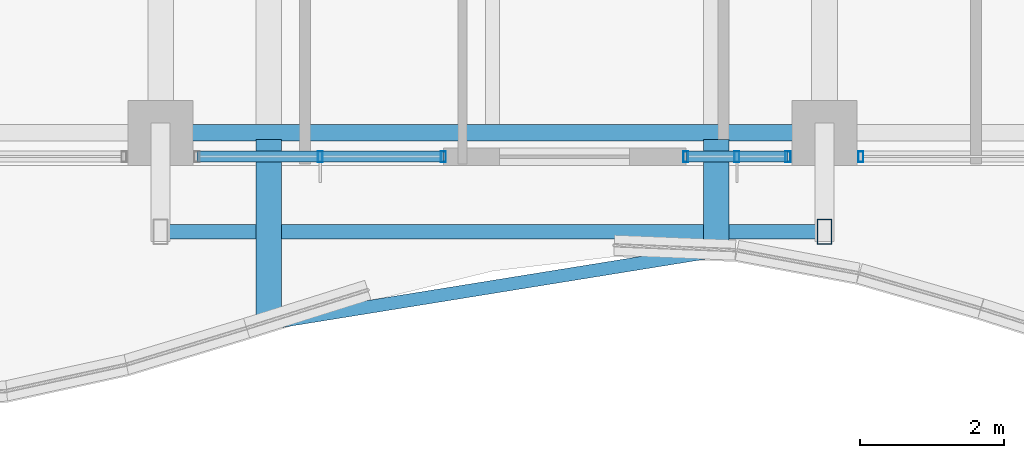
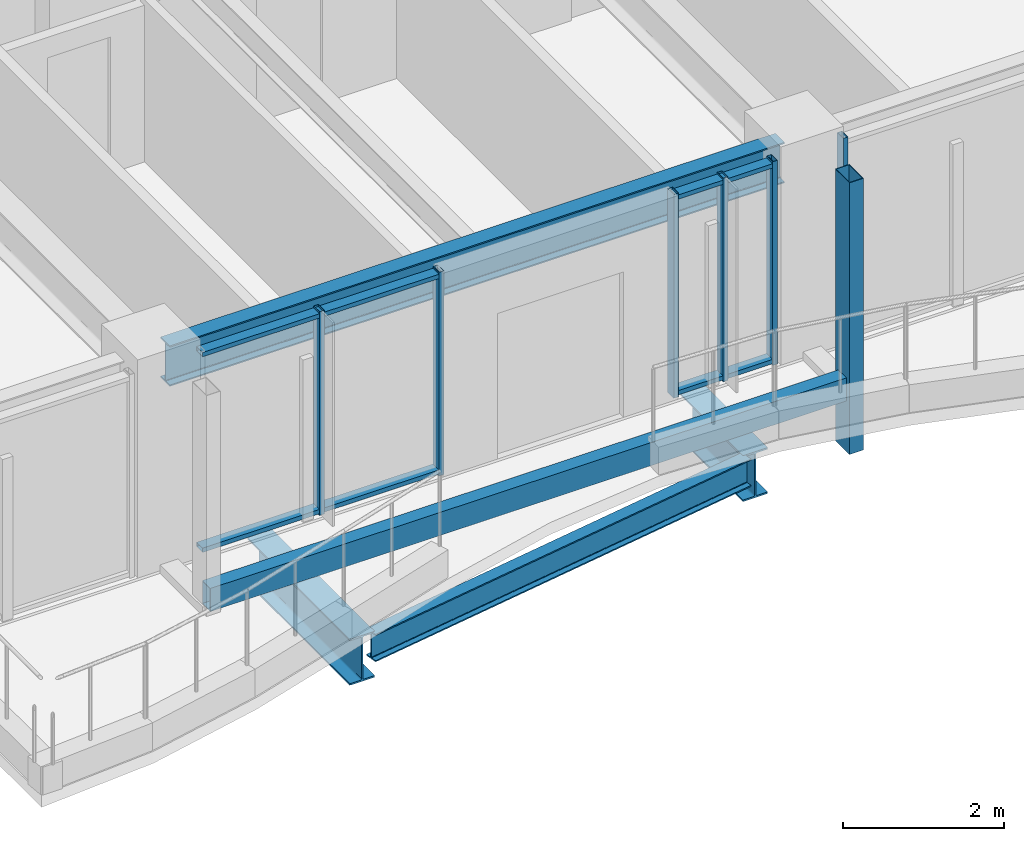
# One storey, part 5 of 37: 12 members, 4 beams, 3 elements without a shape of their own.
"""IFC4 building model written with IfcOpenShell, lengths in metres."""

from ifc_helpers import new_model, si_unit, direction, frame, origin, origin_2d, place, context, subcontext, project, spatial, hollow_rectangle, i_section, extrude, material, material_profile, profile_set, type_object, element, aggregate, save


model = new_model("IFC4")

# Units and contexts
model_context = context("Model", 3, precision=1e-05, world=origin(), true_north=direction((0.0, 1.0)))
body_context = subcontext(model_context, "Body", "Model", "MODEL_VIEW")
ifc_project = project(units=[si_unit("LENGTHUNIT", "METRE"), si_unit("AREAUNIT", "SQUARE_METRE"), si_unit("VOLUMEUNIT", "CUBIC_METRE"), si_unit("PLANEANGLEUNIT", "RADIAN"), si_unit("MASSUNIT", "GRAM", prefix="KILO")], contexts=[model_context])

# Site, building, storey
site_placement = place(None, origin())
site = spatial("IfcSite", under=ifc_project, at=site_placement, CompositionType="ELEMENT")
building_placement = place(site_placement, origin())
building = spatial("IfcBuilding", under=site, at=building_placement, Name="Kolvaren Belvedere", CompositionType="ELEMENT")
storey_placement = place(building_placement, frame((0.0, 0.0, 173.39990234375)))
storey = spatial("IfcBuildingStorey", under=building, at=storey_placement, Name="L50", CompositionType="ELEMENT", Elevation=173.39990234375)

# Beams
ifc_material_1 = material(Name="Structural steel ASTM A992 Grade 50", Category="steel")
ifc_material_profile_1 = material_profile(ifc_material_1, i_section(OverallWidth=0.35498046875, OverallDepth=0.696044921875, WebThickness=0.015380859375, FlangeThickness=0.02490234375, FilletRadius=0.02197265625, at=origin_2d()), Name="W27X146")
ifc_profile_set_1 = profile_set([ifc_material_profile_1], Name="Structural steel ASTM A992 Grade 50")
beam_type_1 = type_object("IfcBeamType", Name="BM-CANT-BAL", PredefinedType="BEAM", material=ifc_profile_set_1)
beam_1_placement = place(storey_placement, frame((-3.10009765625, -20.044921875, -0.56787109375), z_axis=(0.0, -1.0, 0.0), x_axis=(1.0, 0.0, 0.0)))
element("IfcBeam", 1, at=beam_1_placement, inside=storey, type_object=beam_type_1, Name="L50 Planted Balcony Cantilever BAL-S-1", PredefinedType="BEAM", context=body_context, shape_type="SweptSolid", body=[
    extrude(i_section(OverallWidth=0.35498046875, OverallDepth=0.696044921875, WebThickness=0.015380859375, FlangeThickness=0.02490234375, FilletRadius=0.02197265625, at=origin_2d()), origin(), (0.0, 0.0, 1.0), 2.541259765625),
])
beam_2_placement = place(storey_placement, frame((3.10009765625, -20.044921875, -0.56787109375), z_axis=(0.0, -1.0, 0.0), x_axis=(1.0, 0.0, 0.0)))
element("IfcBeam", 2, at=beam_2_placement, inside=storey, type_object=beam_type_1, Name="L50 Planted Balcony Cantilever BAL-S-2", PredefinedType="BEAM", context=body_context, shape_type="SweptSolid", body=[
    extrude(i_section(OverallWidth=0.35498046875, OverallDepth=0.696044921875, WebThickness=0.015380859375, FlangeThickness=0.02490234375, FilletRadius=0.02197265625, at=origin_2d()), origin(), (0.0, 0.0, 1.0), 1.54052734375),
])
ifc_material_2 = material(Name="Structural steel ASTM A992 Grade 50", Category="steel")
ifc_material_profile_2 = material_profile(ifc_material_2, i_section(OverallWidth=0.180908203125, OverallDepth=0.4169921875, WebThickness=0.010986328125, FlangeThickness=0.018310546875, FilletRadius=0.013916015625, at=origin_2d()), Name="W16X57")
ifc_profile_set_2 = profile_set([ifc_material_profile_2], Name="Structural steel ASTM A992 Grade 50")
beam_type_2 = type_object("IfcBeamType", Name="BM-EDGE-W16X57", PredefinedType="BEAM", material=ifc_profile_set_2)
beam_3_placement = place(storey_placement, frame((-2.9619140625, -22.56396484375, -0.428466796875), z_axis=(0.987219034838, 0.159369310891, 0.0), x_axis=(-0.159369310891, 0.987219034838, 0.0)))
element("IfcBeam", 3, at=beam_3_placement, inside=storey, type_object=beam_type_2, Name="L50 Balcony Tip Header Beam BAL-S", PredefinedType="BEAM", context=body_context, shape_type="SweptSolid", body=[
    extrude(i_section(OverallWidth=0.180908203125, OverallDepth=0.4169921875, WebThickness=0.010986328125, FlangeThickness=0.018310546875, FilletRadius=0.013916015625, at=origin_2d()), origin(), (0.0, 0.0, 1.0), 6.00048828125),
])
ifc_material_3 = material(Name="Structural steel ASTM A992 Grade 50", Category="steel")
ifc_material_profile_3 = material_profile(ifc_material_3, i_section(OverallWidth=0.22900390625, OverallDepth=0.612060546875, WebThickness=0.011962890625, FlangeThickness=0.01953125, FilletRadius=0.01806640625, at=origin_2d()), Name="W24X84")
ifc_profile_set_3 = profile_set([ifc_material_profile_3], Name="Structural steel ASTM A992 Grade 50")
beam_type_3 = type_object("IfcBeamType", Name="BM-SPAN-W24X84", PredefinedType="SPANDREL", material=ifc_profile_set_3)
beam_4_placement = place(storey_placement, frame((-4.3974609375, -19.949951171875, 2.774169921875), z_axis=(1.0, 0.0, 0.0), x_axis=(0.0, 1.0, 0.0)))
element("IfcBeam", 4, at=beam_4_placement, inside=storey, type_object=beam_type_3, Name="L50 Perimeter Spandrel S2-S3", PredefinedType="SPANDREL", context=body_context, shape_type="SweptSolid", body=[
    extrude(i_section(OverallWidth=0.22900390625, OverallDepth=0.612060546875, WebThickness=0.011962890625, FlangeThickness=0.01953125, FilletRadius=0.01806640625, at=origin_2d()), origin(), (0.0, 0.0, 1.0), 8.794921875),
])

# Curtain wall, member
ifc_material_4 = material(Name="Anodised pale-metal aluminium AA 6063-T6", Category="aluminium")
curtain_wall_type = type_object("IfcCurtainWallType", Name="CW-Z5-HIGH", PredefinedType="NOTDEFINED", material=ifc_material_4)
curtain_wall_1_placement = place(storey_placement, origin())
curtain_wall_1 = element("IfcCurtainWall", 5, at=curtain_wall_1_placement, inside=storey, type_object=curtain_wall_type, Name="L50 Unitised Curtain Wall FCW-L50-S1-B1", PredefinedType="NOTDEFINED")
ifc_material_5 = material(Name="Anodised pale-metal aluminium AA 6063-T6", Category="aluminium")
ifc_material_profile_4 = material_profile(ifc_material_5, hollow_rectangle(XDim=0.070068359375, YDim=0.14990234375, WallThickness=0.004150390625, at=origin_2d()), Name="ALU-MUL-150X70")
ifc_profile_set_4 = profile_set([ifc_material_profile_4], Name="Anodised pale-metal aluminium AA 6063-T6")
member_type_1 = type_object("IfcMemberType", Name="CW-MUL-150", PredefinedType="MULLION", material=ifc_profile_set_4)
member_1_placement = place(storey_placement, frame((5.10498046875, -20.280029296875, 0.0), z_axis=(0.0, 0.0, 1.0), x_axis=(1.0, 0.0, 0.0)))
member_1 = element("IfcMember", 6, at=member_1_placement, type_object=member_type_1, Name="FCW-L50-S1-B1 Unitised Mullion 3", PredefinedType="MULLION", context=body_context, shape_type="SweptSolid", body=[
    extrude(hollow_rectangle(XDim=0.070068359375, YDim=0.14990234375, WallThickness=0.004150390625, at=origin_2d()), origin(), (0.0, 0.0, 1.0), 3.080078125),
])
aggregate(curtain_wall_1, [member_1])

# Curtain wall, members
curtain_wall_2_placement = place(storey_placement, origin())
curtain_wall_2 = element("IfcCurtainWall", 7, at=curtain_wall_2_placement, inside=storey, type_object=curtain_wall_type, Name="L50 Unitised Curtain Wall FCW-L50-S1-B2", PredefinedType="NOTDEFINED")
member_2_placement = place(storey_placement, frame((4.094970703125, -20.280029296875, 0.0), z_axis=(0.0, 0.0, 1.0), x_axis=(1.0, 0.0, 0.0)))
member_2 = element("IfcMember", 8, at=member_2_placement, type_object=member_type_1, Name="FCW-L50-S1-B2 Unitised Mullion 1", PredefinedType="MULLION", context=body_context, shape_type="SweptSolid", body=[
    extrude(hollow_rectangle(XDim=0.070068359375, YDim=0.14990234375, WallThickness=0.004150390625, at=origin_2d()), origin(), (0.0, 0.0, 1.0), 3.080078125),
])
member_3_placement = place(storey_placement, frame((3.387451171875, -20.280029296875, 0.0), z_axis=(0.0, 0.0, 1.0), x_axis=(1.0, 0.0, 0.0)))
member_3 = element("IfcMember", 9, at=member_3_placement, type_object=member_type_1, Name="FCW-L50-S1-B2 Unitised Mullion 2", PredefinedType="MULLION", context=body_context, shape_type="SweptSolid", body=[
    extrude(hollow_rectangle(XDim=0.070068359375, YDim=0.14990234375, WallThickness=0.004150390625, at=origin_2d()), origin(), (0.0, 0.0, 1.0), 3.080078125),
])
member_4_placement = place(storey_placement, frame((2.679931640625, -20.280029296875, 0.0), z_axis=(0.0, 0.0, 1.0), x_axis=(1.0, 0.0, 0.0)))
member_4 = element("IfcMember", 10, at=member_4_placement, type_object=member_type_1, Name="FCW-L50-S1-B2 Unitised Mullion 3", PredefinedType="MULLION", context=body_context, shape_type="SweptSolid", body=[
    extrude(hollow_rectangle(XDim=0.070068359375, YDim=0.14990234375, WallThickness=0.004150390625, at=origin_2d()), origin(), (0.0, 0.0, 1.0), 3.080078125),
])

curtain_wall_3_placement = place(storey_placement, origin())
curtain_wall_3 = element("IfcCurtainWall", 11, at=curtain_wall_3_placement, inside=storey, type_object=curtain_wall_type, Name="L50 Unitised Curtain Wall FCW-L50-S2-B1", PredefinedType="NOTDEFINED")
member_5_placement = place(storey_placement, frame((-0.679931640625, -20.280029296875, 0.0), z_axis=(0.0, 0.0, 1.0), x_axis=(1.0, 0.0, 0.0)))
member_5 = element("IfcMember", 12, at=member_5_placement, type_object=member_type_1, Name="FCW-L50-S2-B1 Unitised Mullion 1", PredefinedType="MULLION", context=body_context, shape_type="SweptSolid", body=[
    extrude(hollow_rectangle(XDim=0.070068359375, YDim=0.14990234375, WallThickness=0.004150390625, at=origin_2d()), origin(), (0.0, 0.0, 1.0), 3.080078125),
])
member_6_placement = place(storey_placement, frame((-2.387451171875, -20.280029296875, 0.0), z_axis=(0.0, 0.0, 1.0), x_axis=(1.0, 0.0, 0.0)))
member_6 = element("IfcMember", 13, at=member_6_placement, type_object=member_type_1, Name="FCW-L50-S2-B1 Unitised Mullion 2", PredefinedType="MULLION", context=body_context, shape_type="SweptSolid", body=[
    extrude(hollow_rectangle(XDim=0.070068359375, YDim=0.14990234375, WallThickness=0.004150390625, at=origin_2d()), origin(), (0.0, 0.0, 1.0), 3.080078125),
])

# Member
ifc_material_6 = material(Name="Anodised pale-metal aluminium AA 6063-T6", Category="aluminium")
ifc_material_profile_5 = material_profile(ifc_material_6, hollow_rectangle(XDim=0.06494140625, YDim=0.14990234375, WallThickness=0.00390625, at=origin_2d()), Name="ALU-TRN-150X65")
ifc_profile_set_5 = profile_set([ifc_material_profile_5], Name="Anodised pale-metal aluminium AA 6063-T6")
member_type_2 = type_object("IfcMemberType", Name="CW-TRN-150", PredefinedType="USERDEFINED", material=ifc_profile_set_5)
member_7_placement = place(storey_placement, frame((4.094970703125, -20.280029296875, 0.06005859375), z_axis=(-1.0, 0.0, 0.0), x_axis=(0.0, 0.0, 1.0)))
member_7 = element("IfcMember", 14, at=member_7_placement, type_object=member_type_2, Name="FCW-L50-S1-B2 Sill Transom", ObjectType="TRANSOM", PredefinedType="USERDEFINED", context=body_context, shape_type="SweptSolid", body=[
    extrude(hollow_rectangle(XDim=0.06494140625, YDim=0.14990234375, WallThickness=0.00390625, at=origin_2d()), origin(), (0.0, 0.0, 1.0), 1.4150390625),
])

member_8_placement = place(storey_placement, frame((4.094970703125, -20.280029296875, 3.02001953125), z_axis=(-1.0, 0.0, 0.0), x_axis=(0.0, 0.0, 1.0)))
member_8 = element("IfcMember", 15, at=member_8_placement, type_object=member_type_2, Name="FCW-L50-S1-B2 Head Transom", ObjectType="TRANSOM", PredefinedType="USERDEFINED", context=body_context, shape_type="SweptSolid", body=[
    extrude(hollow_rectangle(XDim=0.06494140625, YDim=0.14990234375, WallThickness=0.00390625, at=origin_2d()), origin(), (0.0, 0.0, 1.0), 1.4150390625),
])

aggregate(curtain_wall_2, [member_2, member_3, member_4, member_7, member_8])

member_9_placement = place(storey_placement, frame((-0.679931640625, -20.280029296875, 0.06005859375), z_axis=(-1.0, 0.0, 0.0), x_axis=(0.0, 0.0, 1.0)))
member_9 = element("IfcMember", 16, at=member_9_placement, type_object=member_type_2, Name="FCW-L50-S2-B1 Sill Transom", ObjectType="TRANSOM", PredefinedType="USERDEFINED", context=body_context, shape_type="SweptSolid", body=[
    extrude(hollow_rectangle(XDim=0.06494140625, YDim=0.14990234375, WallThickness=0.00390625, at=origin_2d()), origin(), (0.0, 0.0, 1.0), 3.4150390625),
])

member_10_placement = place(storey_placement, frame((-0.679931640625, -20.280029296875, 3.02001953125), z_axis=(-1.0, 0.0, 0.0), x_axis=(0.0, 0.0, 1.0)))
member_10 = element("IfcMember", 17, at=member_10_placement, type_object=member_type_2, Name="FCW-L50-S2-B1 Head Transom", ObjectType="TRANSOM", PredefinedType="USERDEFINED", context=body_context, shape_type="SweptSolid", body=[
    extrude(hollow_rectangle(XDim=0.06494140625, YDim=0.14990234375, WallThickness=0.00390625, at=origin_2d()), origin(), (0.0, 0.0, 1.0), 3.4150390625),
])

aggregate(curtain_wall_3, [member_5, member_6, member_9, member_10])

# Members
ifc_material_7 = material(Name="Anodised pale-metal aluminium AA 6063-T6", Category="aluminium")
ifc_material_profile_6 = material_profile(ifc_material_7, hollow_rectangle(XDim=0.199951171875, YDim=0.35009765625, WallThickness=0.007568359375, at=origin_2d()), Name="ALU-PF-350X200")
ifc_profile_set_6 = profile_set([ifc_material_profile_6], Name="Anodised pale-metal aluminium AA 6063-T6")
member_type_3 = type_object("IfcMemberType", Name="PF-FRAME-350", PredefinedType="USERDEFINED", material=ifc_profile_set_6)
member_11_placement = place(storey_placement, frame((4.60009765625, -21.320068359375, -0.809814453125), z_axis=(0.0, 0.0, 1.0), x_axis=(1.0, 0.0, 0.0)))
element("IfcMember", 18, at=member_11_placement, inside=storey, type_object=member_type_3, Name="L50 Outboard Picture-Frame Vertical S1", ObjectType="PICTURE FRAME FIN", PredefinedType="USERDEFINED", context=body_context, shape_type="SweptSolid", body=[
    extrude(hollow_rectangle(XDim=0.199951171875, YDim=0.35009765625, WallThickness=0.007568359375, at=origin_2d()), origin(), (0.0, 0.0, 1.0), 4.10986328125),
])
member_12_placement = place(storey_placement, frame((4.60009765625, -21.320068359375, 0.130126953125), z_axis=(-1.0, 0.0, 0.0), x_axis=(0.0, -1.0, 0.0)))
element("IfcMember", 19, at=member_12_placement, inside=storey, type_object=member_type_3, Name="L50 Outboard Picture-Frame Sill S", ObjectType="PICTURE FRAME FIN", PredefinedType="USERDEFINED", context=body_context, shape_type="SweptSolid", body=[
    extrude(hollow_rectangle(XDim=0.199951171875, YDim=0.35009765625, WallThickness=0.007568359375, at=origin_2d()), origin(), (0.0, 0.0, 1.0), 9.2001953125),
])

save(model, "model.ifc")
